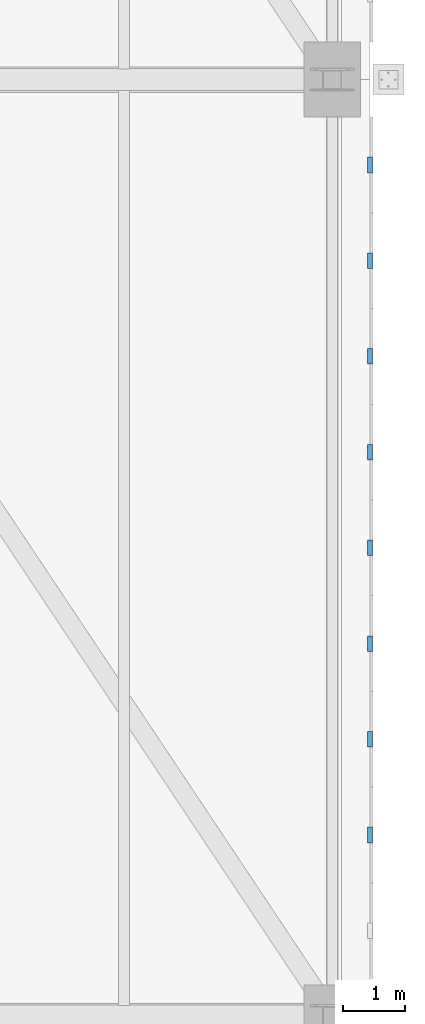
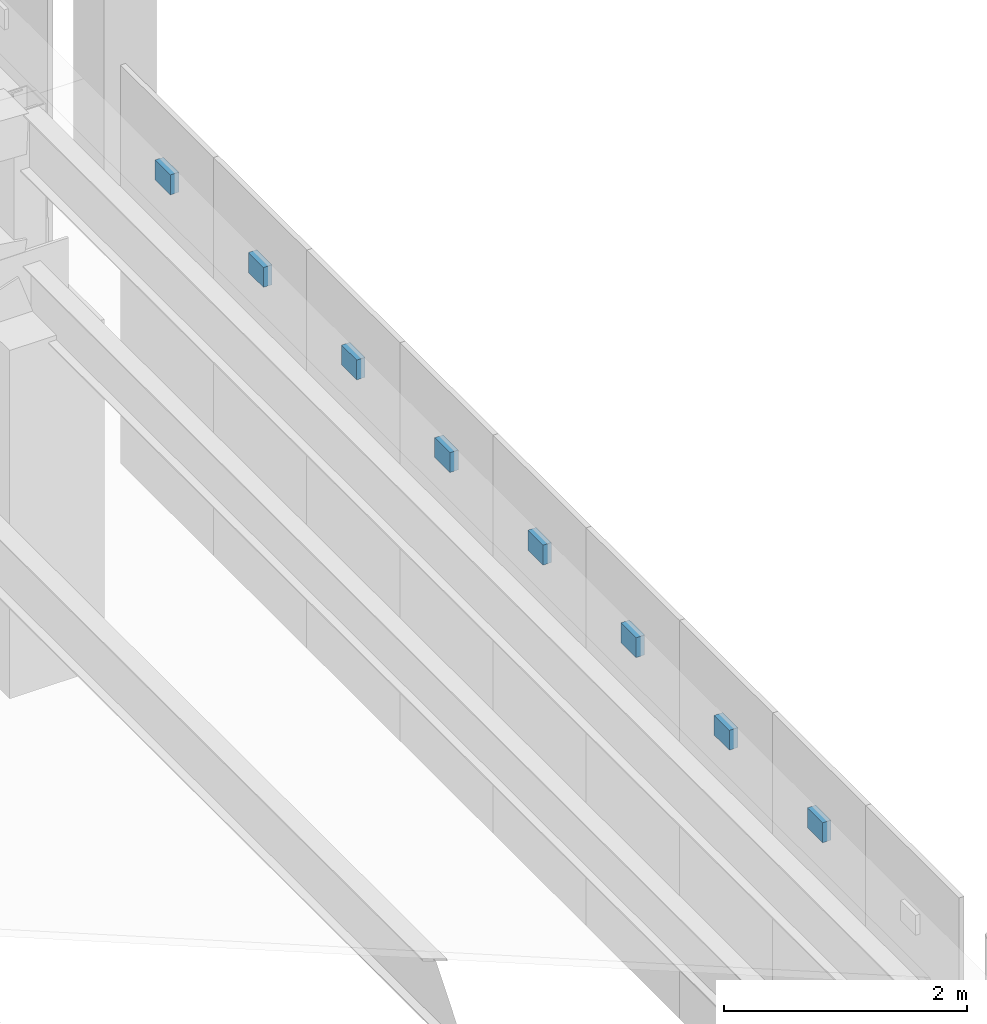
# One storey, part 194 of 278: 8 discrete accessories.
"""IFC4 building model written with IfcOpenShell, lengths in metres."""

from ifc_helpers import new_model, si_unit, direction, frame, origin, origin_2d, place, context, subcontext, project, spatial, rectangle, extrude, material, layer, layer_set, type_object, element, save


model = new_model("IFC4")

# Units and contexts
model_context = context("Model", 3, precision=1e-05, world=origin(), true_north=direction((0.0, 1.0)))
body_context = subcontext(model_context, "Body", "Model", "MODEL_VIEW")
ifc_project = project(units=[si_unit("LENGTHUNIT", "METRE"), si_unit("AREAUNIT", "SQUARE_METRE"), si_unit("VOLUMEUNIT", "CUBIC_METRE"), si_unit("PLANEANGLEUNIT", "RADIAN"), si_unit("MASSUNIT", "GRAM", prefix="KILO")], contexts=[model_context])

# Site, building, storey
site_placement = place(None, origin())
site = spatial("IfcSite", under=ifc_project, at=site_placement, CompositionType="ELEMENT")
building_placement = place(site_placement, origin())
building = spatial("IfcBuilding", under=site, at=building_placement, Name="Ogive Plaza Stadium", CompositionType="ELEMENT")
storey_placement = place(building_placement, frame((0.0, 0.0, 29.0)))
storey = spatial("IfcBuildingStorey", under=building, at=storey_placement, Name="Roof", CompositionType="ELEMENT", Elevation=29.0)

# Discrete accessories
ifc_material = material(Name="Steel ASTM A572 Grade 50", Category="steel")
ifc_layer = layer(ifc_material, 0.080078125)
ifc_layer_set = layer_set([ifc_layer], Name="Steel ASTM A572 Grade 50")
discrete_accessory_type = type_object("IfcDiscreteAccessoryType", Name="Tracery screen bracket 250x200", PredefinedType="BRACKET", material=ifc_layer_set)
for number, where, z_axis, x_axis, name in (
    (1, (84.602294921875, -23.86669921875, 5.25), (0.0, 0.0, 1.0), (0.0, -1.0, 0.0), "TRACERY SCREEN BRACKET B06 1"),
    (2, (84.602294921875, -25.39990234375, 5.25), (0.0, 0.0, 1.0), (0.0, -1.0, 0.0), "TRACERY SCREEN BRACKET B06 2"),
    (3, (84.602294921875, -26.933349609375, 5.25), (0.0, 0.0, 1.0), (0.0, -1.0, 0.0), "TRACERY SCREEN BRACKET B06 3"),
    (4, (84.602294921875, -28.466796875, 5.25), (0.0, 0.0, 1.0), (0.0, -1.0, 0.0), "TRACERY SCREEN BRACKET B06 4"),
    (5, (84.602294921875, -30.0, 5.25), (0.0, 0.0, 1.0), (0.0, -1.0, 0.0), "TRACERY SCREEN BRACKET B06 5"),
    (6, (84.602294921875, -31.533203125, 5.25), (0.0, 0.0, 1.0), (0.0, -1.0, 0.0), "TRACERY SCREEN BRACKET B06 6"),
    (7, (84.602294921875, -33.066650390625, 5.25), (0.0, 0.0, 1.0), (0.0, -1.0, 0.0), "TRACERY SCREEN BRACKET B06 7"),
    (8, (84.602294921875, -34.60009765625, 5.25), (0.0, 0.0, 1.0), (0.0, -1.0, 0.0), "TRACERY SCREEN BRACKET B06 8"),
):
    element("IfcDiscreteAccessory", number, at=place(storey_placement, frame(where, z_axis=z_axis, x_axis=x_axis)), inside=storey, type_object=discrete_accessory_type, Name=name, PredefinedType="BRACKET", context=body_context, shape_type="SweptSolid", body=[
        extrude(rectangle(XDim=0.25, YDim=0.080078125, at=origin_2d()), origin(), (0.0, 0.0, 1.0), 0.199951171875),
    ])

save(model, "model.ifc")
